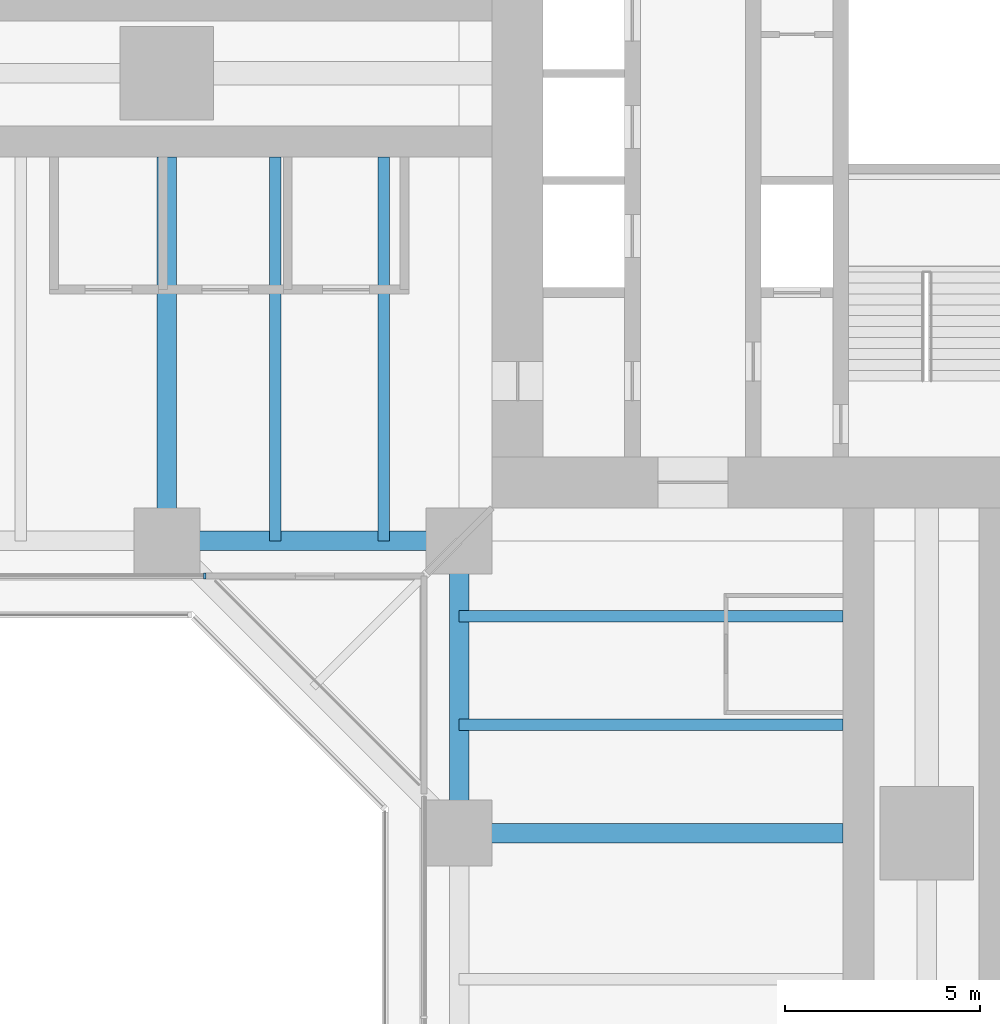
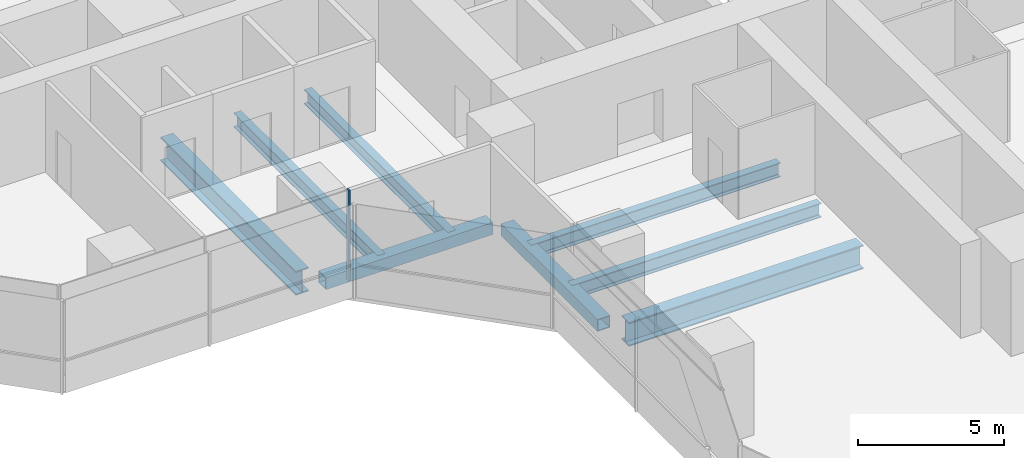
# One storey, part 4 of 22: 8 beams, 1 member, 1 element without a shape of its own.
"""IFC4 building model written with IfcOpenShell, lengths in metres."""

from ifc_helpers import new_model, si_unit, direction, frame, origin, origin_2d, place, context, subcontext, project, spatial, rectangle, hollow_rectangle, i_section, extrude, material, material_profile, profile_set, type_object, element, aggregate, save


model = new_model("IFC4")

# Units and contexts
model_context = context("Model", 3, precision=1e-05, world=origin(), true_north=direction((0.0, 1.0)))
body_context = subcontext(model_context, "Body", "Model", "MODEL_VIEW")
ifc_project = project(units=[si_unit("LENGTHUNIT", "METRE"), si_unit("AREAUNIT", "SQUARE_METRE"), si_unit("VOLUMEUNIT", "CUBIC_METRE"), si_unit("PLANEANGLEUNIT", "RADIAN"), si_unit("MASSUNIT", "GRAM", prefix="KILO")], contexts=[model_context])

# Site, building, storey
site_placement = place(None, origin())
site = spatial("IfcSite", under=ifc_project, at=site_placement, CompositionType="ELEMENT")
building_placement = place(site_placement, origin())
building = spatial("IfcBuilding", under=site, at=building_placement, Name="Mizan Broadcast Tower", CompositionType="ELEMENT")
storey_placement = place(building_placement, frame((0.0, 0.0, 51.300048828125)))
storey = spatial("IfcBuildingStorey", under=building, at=storey_placement, Name="L09", CompositionType="ELEMENT", Elevation=51.300048828125)

# Beams
ifc_material_1 = material(Name="Steel S355", Category="steel")
ifc_material_profile_1 = material_profile(ifc_material_1, hollow_rectangle(XDim=0.5, YDim=0.5, WallThickness=0.030029296875, at=origin_2d()), Name="BOX 500x500x30")
ifc_profile_set_1 = profile_set([ifc_material_profile_1], Name="Steel S355")
beam_type_1 = type_object("IfcBeamType", Name="EDGE BEAM BOX 500x500x30", PredefinedType="SPANDREL", material=ifc_profile_set_1)
for number, where, z_axis, x_axis, name in (
    (1, (-12.449951171875, -12.0, -0.380126953125), (-1.0, 0.0, 0.0), (0.0, -1.0, 0.0), "Edge beam BOX 500x500x30 L09 west arm"),
    (2, (-12.0, -12.449951171875, -0.380126953125), (0.0, -1.0, 0.0), (1.0, 0.0, 0.0), "Edge beam BOX 500x500x30 L09 south arm"),
):
    element("IfcBeam", number, at=place(storey_placement, frame(where, z_axis=z_axis, x_axis=x_axis)), inside=storey, type_object=beam_type_1, Name=name, PredefinedType="SPANDREL", context=body_context, shape_type="SweptSolid", body=[
        extrude(hollow_rectangle(XDim=0.5, YDim=0.5, WallThickness=0.030029296875, at=origin_2d()), origin(), (0.0, 0.0, 1.0), 6.60009765625),
    ])
ifc_material_2 = material(Name="Steel S460", Category="steel")
ifc_material_profile_2 = material_profile(ifc_material_2, i_section(OverallWidth=0.5, OverallDepth=1.0, WebThickness=0.02490234375, FlangeThickness=0.050048828125, at=origin_2d()), Name="WPG 1000x500")
ifc_profile_set_2 = profile_set([ifc_material_profile_2], Name="Steel S460")
beam_type_2 = type_object("IfcBeamType", Name="GIRDER WPG 1000x500", PredefinedType="BEAM", material=ifc_profile_set_2)
for number, where, z_axis, x_axis, name in (
    (3, (-19.5, -11.408935546875, -0.630126953125), (0.0, 1.0, 0.0), (-1.0, 0.0, 0.0), "Girder WPG 1000x500 L09 west arm"),
    (4, (-11.408935546875, -19.5, -0.630126953125), (1.0, 0.0, 0.0), (0.0, 1.0, 0.0), "Girder WPG 1000x500 L09 south arm"),
):
    element("IfcBeam", number, at=place(storey_placement, frame(where, z_axis=z_axis, x_axis=x_axis)), inside=storey, type_object=beam_type_2, Name=name, PredefinedType="BEAM", context=body_context, shape_type="SweptSolid", body=[
        extrude(i_section(OverallWidth=0.5, OverallDepth=1.0, WebThickness=0.02490234375, FlangeThickness=0.050048828125, at=origin_2d()), origin(), (0.0, 0.0, 1.0), 9.259033203125),
    ])

# Curtain wall, member
ifc_material_3 = material(Name="Aluminium framed glazing", Category="aluminium")
curtain_wall_type = type_object("IfcCurtainWallType", Name="INNER SKIN LOW ZONE", PredefinedType="USERDEFINED", material=ifc_material_3)
curtain_wall_placement = place(storey_placement, origin())
curtain_wall = element("IfcCurtainWall", 5, at=curtain_wall_placement, inside=storey, type_object=curtain_wall_type, Name="Inner skin low zone L09 W side", ObjectType="INNER SKIN LOW ZONE", PredefinedType="USERDEFINED")
ifc_material_4 = material(Name="Aluminium, pale anodised", Category="aluminium")
ifc_material_profile_3 = material_profile(ifc_material_4, rectangle(XDim=0.159912109375, YDim=0.06005859375, at=origin_2d()), Name="MULLION 160x60")
ifc_profile_set_3 = profile_set([ifc_material_profile_3], Name="Aluminium, pale anodised")
member_type = type_object("IfcMemberType", Name="INNER SKIN MULLION 60x160", PredefinedType="MULLION", material=ifc_profile_set_3)
member_placement = place(storey_placement, frame((-18.530029296875, -12.89990234375, 0.0), z_axis=(0.0, 0.0, 1.0), x_axis=(0.0, 1.0, 0.0)))
member = element("IfcMember", 6, at=member_placement, type_object=member_type, Name="Inner skin low zone L09 W side mullion 3", PredefinedType="MULLION", context=body_context, shape_type="SweptSolid", body=[
    extrude(rectangle(XDim=0.159912109375, YDim=0.06005859375, at=origin_2d()), origin(), (0.0, 0.0, 1.0), 3.77001953125),
])
aggregate(curtain_wall, [member])

# Beams
ifc_material_5 = material(Name="Steel S355", Category="steel")
ifc_material_profile_4 = material_profile(ifc_material_5, i_section(OverallWidth=0.300048828125, OverallDepth=0.590087890625, WebThickness=0.012939453125, FlangeThickness=0.02490234375, FilletRadius=0.027099609375, at=origin_2d()), Name="HEA 600")
ifc_profile_set_4 = profile_set([ifc_material_profile_4], Name="Steel S355")
beam_type_3 = type_object("IfcBeamType", Name="SECONDARY BEAM HEA 600", PredefinedType="JOIST", material=ifc_profile_set_4)
for number, where, z_axis, x_axis, name in (
    (7, (-13.933349609375, -12.0, -0.425048828125), (0.0, 1.0, 0.0), (-1.0, 0.0, 0.0), "Secondary beam HEA 600 L09 west arm"),
    (8, (-16.716552734375, -12.0, -0.425048828125), (0.0, 1.0, 0.0), (-1.0, 0.0, 0.0), "Secondary beam HEA 600 L09 west arm"),
    (9, (-12.0, -13.933349609375, -0.425048828125), (1.0, 0.0, 0.0), (0.0, 1.0, 0.0), "Secondary beam HEA 600 L09 south arm"),
    (10, (-12.0, -16.716552734375, -0.425048828125), (1.0, 0.0, 0.0), (0.0, 1.0, 0.0), "Secondary beam HEA 600 L09 south arm"),
):
    element("IfcBeam", number, at=place(storey_placement, frame(where, z_axis=z_axis, x_axis=x_axis)), inside=storey, type_object=beam_type_3, Name=name, PredefinedType="JOIST", context=body_context, shape_type="SweptSolid", body=[
        extrude(i_section(OverallWidth=0.300048828125, OverallDepth=0.590087890625, WebThickness=0.012939453125, FlangeThickness=0.02490234375, FilletRadius=0.027099609375, at=origin_2d()), origin(), (0.0, 0.0, 1.0), 9.85009765625),
    ])

save(model, "model.ifc")
